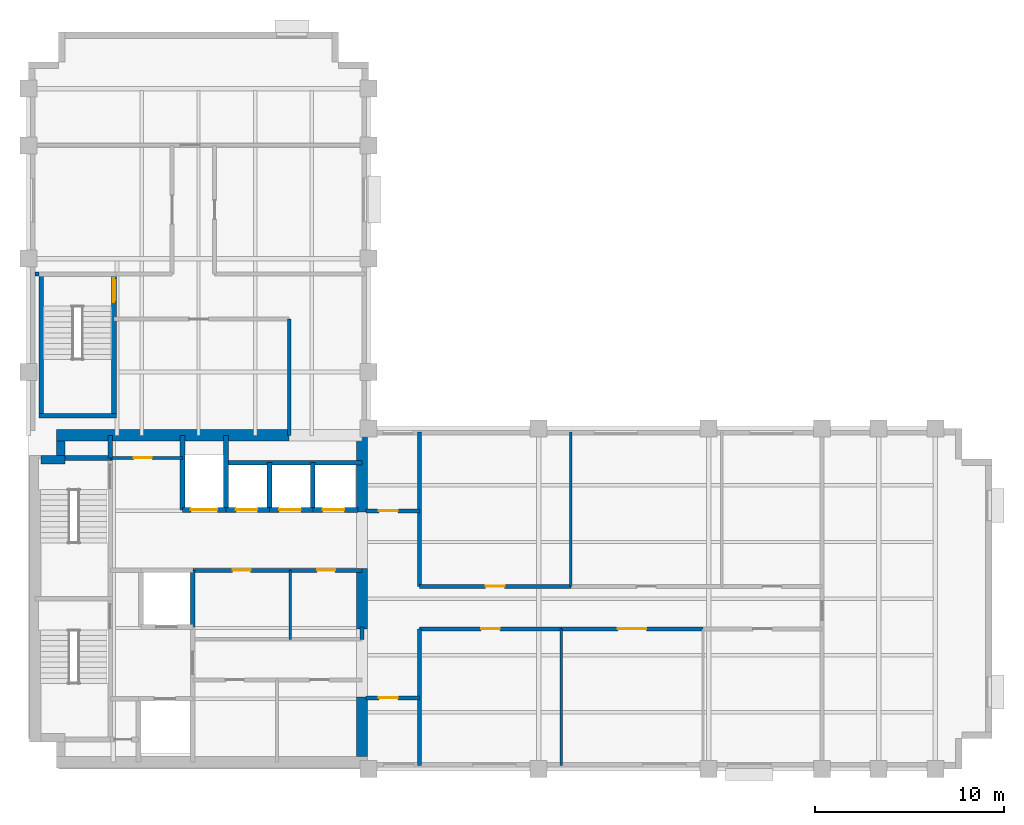
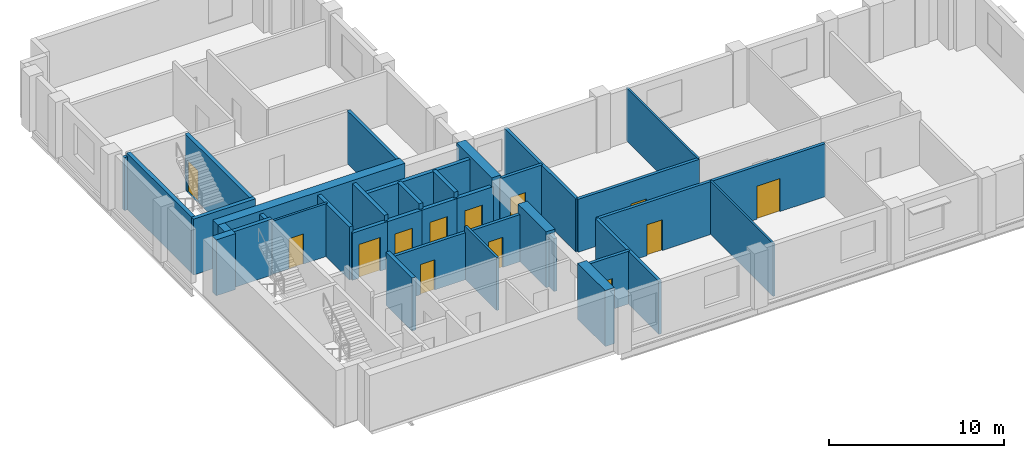
# One storey, part 3 of 6: 37 walls, 13 doors, 13 openings.
"""IFC4 building model written with IfcOpenShell, lengths in metres."""

from ifc_helpers import new_model, si_unit, direction, frame, frame_2d, origin, place, context, subcontext, project, spatial, rectangle, extrude, material, layer, layer_set, type_object, element, fill, save


model = new_model("IFC4")

# Units and contexts
model_context = context("Model", 3, precision=1e-05, world=origin(), true_north=direction((0.0, 1.0)))
body_context = subcontext(model_context, "Body", "Model", "MODEL_VIEW")
ifc_project = project(units=[si_unit("LENGTHUNIT", "METRE"), si_unit("AREAUNIT", "SQUARE_METRE"), si_unit("VOLUMEUNIT", "CUBIC_METRE"), si_unit("PLANEANGLEUNIT", "RADIAN"), si_unit("MASSUNIT", "GRAM", prefix="KILO")], contexts=[model_context])

# Site, building, storey
site_placement = place(None, origin())
site = spatial("IfcSite", under=ifc_project, at=site_placement, CompositionType="ELEMENT")
building_placement = place(site_placement, origin())
building = spatial("IfcBuilding", under=site, at=building_placement, Name="Mawjdan Bourse Tower", CompositionType="ELEMENT")
storey_placement = place(building_placement, frame((0.0, 0.0, 215.10009765625)))
storey = spatial("IfcBuildingStorey", under=building, at=storey_placement, Name="L52", CompositionType="ELEMENT", Elevation=215.10009765625)

# Wall
ifc_material_1 = material(Name="Gypsum Fireboard Assembly")
ifc_layer_1 = layer(ifc_material_1, 0.199951171875)
ifc_layer_set_1 = layer_set([ifc_layer_1], Name="Gypsum Fireboard Assembly")
wall_type_1 = type_object("IfcWallType", Name="WL-CMP-200", PredefinedType="PARTITIONING", material=ifc_layer_set_1)
wall_1_placement = place(storey_placement, frame((23.64990234375, 9.85009765625, 0.0), z_axis=(0.0, 0.0, 1.0), x_axis=(0.0, 1.0, 0.0)))
element("IfcWall", 1, at=wall_1_placement, inside=storey, type_object=wall_type_1, Name="L52 Core Restroom East Return", PredefinedType="PARTITIONING", context=body_context, shape_type="SweptSolid", body=[
    extrude(rectangle(XDim=0.64990234375, YDim=0.199951171875, at=frame_2d((0.324951171875, 0.0))), origin(), (0.0, 0.0, 1.0), 3.68994140625),
])

# Wall, opening, door
wall_2_placement = place(storey_placement, frame((14.699951171875, 13.5, 0.0), z_axis=(0.0, 0.0, 1.0), x_axis=(1.0, 0.0, 0.0)))
wall_2 = element("IfcWall", 2, at=wall_2_placement, inside=storey, type_object=wall_type_1, Name="L52 Accessible WC North Wall", PredefinedType="PARTITIONING", context=body_context, shape_type="SweptSolid", body=[
    extrude(rectangle(XDim=5.150146484375, YDim=0.199951171875, at=frame_2d((2.5751953125, 0.0))), origin(), (0.0, 0.0, 1.0), 3.282958984375),
])
opening_1_placement = place(wall_2_placement, frame((2.10009765625, 0.0, 0.0)))
opening_1 = element("IfcOpeningElement", 3, at=opening_1_placement, cuts=wall_2, Name="Opening D-L52-15", PredefinedType="OPENING", context=body_context, shape_type="SweptSolid", body=[
    extrude(rectangle(XDim=0.949951171875, YDim=2.10009765625, at=frame_2d((0.47509765625, 1.050048828125))), frame((0.0, 0.10986328125, 0.0), z_axis=(0.0, -1.0, 0.0), x_axis=(1.0, 0.0, 0.0)), (0.0, 0.0, 1.0), 0.219970703125),
])
ifc_material_2 = material(Name="Moisture-Resistant Laminate Timber", Category="wood")
door_type_1 = type_object("IfcDoorType", Name="DR-WET-0950", OperationType="NOTDEFINED", PredefinedType="DOOR", material=ifc_material_2)
door_1_placement = place(opening_1_placement, origin())
door_1 = element("IfcDoor", 4, at=door_1_placement, inside=storey, type_object=door_type_1, Name="L52 Accessible WC Door D-L52-15", OperationType="SINGLE_SWING_LEFT", OverallHeight=2.10009765625, OverallWidth=0.949951171875, PredefinedType="DOOR", context=body_context, shape_type="SweptSolid", body=[
    extrude(rectangle(XDim=0.949951171875, YDim=2.10009765625, at=frame_2d((0.47509765625, 1.050048828125))), frame((0.0, 0.02490234375, 0.0), z_axis=(0.0, -1.0, 0.0), x_axis=(1.0, 0.0, 0.0)), (0.0, 0.0, 1.0), 0.050048828125),
])
fill(opening_1, door_1)

wall_3_placement = place(storey_placement, frame((19.85009765625, 13.5, 0.0), z_axis=(0.0, 0.0, 1.0), x_axis=(1.0, 0.0, 0.0)))
wall_3 = element("IfcWall", 5, at=wall_3_placement, inside=storey, type_object=wall_type_1, Name="L52 Executive Restroom Suite North Wall", PredefinedType="PARTITIONING", context=body_context, shape_type="SweptSolid", body=[
    extrude(rectangle(XDim=3.7998046875, YDim=0.199951171875, at=frame_2d((1.89990234375, 0.0))), origin(), (0.0, 0.0, 1.0), 3.282958984375),
])
opening_2_placement = place(wall_3_placement, frame((1.425048828125, 0.0, 0.0)))
opening_2 = element("IfcOpeningElement", 6, at=opening_2_placement, cuts=wall_3, Name="Opening D-L52-16", PredefinedType="OPENING", context=body_context, shape_type="SweptSolid", body=[
    extrude(rectangle(XDim=0.949951171875, YDim=2.10009765625, at=frame_2d((0.47509765625, 1.050048828125))), frame((0.0, 0.10986328125, 0.0), z_axis=(0.0, -1.0, 0.0), x_axis=(1.0, 0.0, 0.0)), (0.0, 0.0, 1.0), 0.219970703125),
])
door_2_placement = place(opening_2_placement, origin())
door_2 = element("IfcDoor", 7, at=door_2_placement, inside=storey, type_object=door_type_1, Name="L52 Executive Restroom Suite Door D-L52-16", OperationType="SINGLE_SWING_RIGHT", OverallHeight=2.10009765625, OverallWidth=0.949951171875, PredefinedType="DOOR", context=body_context, shape_type="SweptSolid", body=[
    extrude(rectangle(XDim=0.949951171875, YDim=2.10009765625, at=frame_2d((0.47509765625, 1.050048828125))), frame((0.0, 0.02490234375, 0.0), z_axis=(0.0, -1.0, 0.0), x_axis=(1.0, 0.0, 0.0)), (0.0, 0.0, 1.0), 0.050048828125),
])
fill(opening_2, door_2)

wall_4_placement = place(storey_placement, frame((23.85009765625, 6.75, 0.0), z_axis=(0.0, 0.0, 1.0), x_axis=(1.0, 0.0, 0.0)))
wall_4 = element("IfcWall", 8, at=wall_4_placement, inside=storey, type_object=wall_type_1, Name="L52 West Pocket North Wall", PredefinedType="PARTITIONING", context=body_context, shape_type="SweptSolid", body=[
    extrude(rectangle(XDim=2.849853515625, YDim=0.199951171875, at=frame_2d((1.4248046875, 0.0))), origin(), (0.0, 0.0, 1.0), 3.68994140625),
])
opening_3_placement = place(wall_4_placement, frame((0.699951171875, 0.0, 0.0)))
opening_3 = element("IfcOpeningElement", 9, at=opening_3_placement, cuts=wall_4, Name="Opening D-L52-19", PredefinedType="OPENING", context=body_context, shape_type="SweptSolid", body=[
    extrude(rectangle(XDim=1.0, YDim=2.14990234375, at=frame_2d((0.5, 1.074951171875))), frame((0.0, 0.10986328125, 0.0), z_axis=(0.0, -1.0, 0.0), x_axis=(1.0, 0.0, 0.0)), (0.0, 0.0, 1.0), 0.219970703125),
])
ifc_material_3 = material(Name="Hardwood Acoustic Leaf", Category="wood")
door_type_2 = type_object("IfcDoorType", Name="DR-OFC-1000", OperationType="NOTDEFINED", PredefinedType="DOOR", material=ifc_material_3)
door_3_placement = place(opening_3_placement, origin())
door_3 = element("IfcDoor", 10, at=door_3_placement, inside=storey, type_object=door_type_2, Name="L52 West Pocket Office Door D-L52-19", OperationType="SINGLE_SWING_LEFT", OverallHeight=2.14990234375, OverallWidth=1.0, PredefinedType="DOOR", context=body_context, shape_type="SweptSolid", body=[
    extrude(rectangle(XDim=1.0, YDim=2.14990234375, at=frame_2d((0.5, 1.074951171875))), frame((0.0, 0.02490234375, 0.0), z_axis=(0.0, -1.0, 0.0), x_axis=(1.0, 0.0, 0.0)), (0.0, 0.0, 1.0), 0.050048828125),
])
fill(opening_3, door_3)

wall_5_placement = place(storey_placement, frame((23.85009765625, 16.64990234375, 0.0), z_axis=(0.0, 0.0, 1.0), x_axis=(1.0, 0.0, 0.0)))
wall_5 = element("IfcWall", 11, at=wall_5_placement, inside=storey, type_object=wall_type_1, Name="L52 West North Pocket Wall", PredefinedType="PARTITIONING", context=body_context, shape_type="SweptSolid", body=[
    extrude(rectangle(XDim=2.849853515625, YDim=0.199951171875, at=frame_2d((1.4248046875, 0.0))), origin(), (0.0, 0.0, 1.0), 3.68994140625),
])
opening_4_placement = place(wall_5_placement, frame((0.699951171875, 0.0, 0.0)))
opening_4 = element("IfcOpeningElement", 12, at=opening_4_placement, cuts=wall_5, Name="Opening D-L52-20", PredefinedType="OPENING", context=body_context, shape_type="SweptSolid", body=[
    extrude(rectangle(XDim=1.0, YDim=2.14990234375, at=frame_2d((0.5, 1.074951171875))), frame((0.0, 0.10986328125, 0.0), z_axis=(0.0, -1.0, 0.0), x_axis=(1.0, 0.0, 0.0)), (0.0, 0.0, 1.0), 0.219970703125),
])
door_4_placement = place(opening_4_placement, origin())
door_4 = element("IfcDoor", 13, at=door_4_placement, inside=storey, type_object=door_type_2, Name="L52 West North Pocket Door D-L52-20", OperationType="SINGLE_SWING_RIGHT", OverallHeight=2.14990234375, OverallWidth=1.0, PredefinedType="DOOR", context=body_context, shape_type="SweptSolid", body=[
    extrude(rectangle(XDim=1.0, YDim=2.14990234375, at=frame_2d((0.5, 1.074951171875))), frame((0.0, 0.02490234375, 0.0), z_axis=(0.0, -1.0, 0.0), x_axis=(1.0, 0.0, 0.0)), (0.0, 0.0, 1.0), 0.050048828125),
])
fill(opening_4, door_4)

# Walls
wall_6_placement = place(storey_placement, frame((26.699951171875, 3.179931640625, 0.0), z_axis=(0.0, 0.0, 1.0), x_axis=(0.0, 1.0, 0.0)))
element("IfcWall", 14, at=wall_6_placement, inside=storey, type_object=wall_type_1, Name="L52 Vestibule South East Wall", PredefinedType="PARTITIONING", context=body_context, shape_type="SweptSolid", body=[
    extrude(rectangle(XDim=7.219970703125, YDim=0.199951171875, at=frame_2d((3.60986328125, 0.0))), origin(), (0.0, 0.0, 1.0), 3.68994140625),
])
wall_7_placement = place(storey_placement, frame((26.699951171875, 12.64990234375, 0.0), z_axis=(0.0, 0.0, 1.0), x_axis=(0.0, 1.0, 0.0)))
element("IfcWall", 15, at=wall_7_placement, inside=storey, type_object=wall_type_1, Name="L52 Vestibule North East Wall", PredefinedType="PARTITIONING", context=body_context, shape_type="SweptSolid", body=[
    extrude(rectangle(XDim=8.170166015625, YDim=0.199951171875, at=frame_2d((4.0849609375, 0.0))), origin(), (0.0, 0.0, 1.0), 3.68994140625),
])

# Wall, opening, door
wall_8_placement = place(storey_placement, frame((26.699951171875, 10.39990234375, 0.0), z_axis=(0.0, 0.0, 1.0), x_axis=(1.0, 0.0, 0.0)))
wall_8 = element("IfcWall", 16, at=wall_8_placement, inside=storey, type_object=wall_type_1, Name="L52 Infrastructure Investment Suite Corridor Wall", PredefinedType="PARTITIONING", context=body_context, shape_type="SweptSolid", body=[
    extrude(rectangle(XDim=7.5, YDim=0.199951171875, at=frame_2d((3.75, 0.0))), origin(), (0.0, 0.0, 1.0), 3.68994140625),
])
opening_5_placement = place(wall_8_placement, frame((3.25, 0.0, 0.0)))
opening_5 = element("IfcOpeningElement", 17, at=opening_5_placement, cuts=wall_8, Name="Opening D-L52-21", PredefinedType="OPENING", context=body_context, shape_type="SweptSolid", body=[
    extrude(rectangle(XDim=1.0, YDim=2.14990234375, at=frame_2d((0.5, 1.074951171875))), frame((0.0, 0.10986328125, 0.0), z_axis=(0.0, -1.0, 0.0), x_axis=(1.0, 0.0, 0.0)), (0.0, 0.0, 1.0), 0.219970703125),
])
door_5_placement = place(opening_5_placement, origin())
door_5 = element("IfcDoor", 18, at=door_5_placement, inside=storey, type_object=door_type_2, Name="L52 Infrastructure Investment Suite Door D-L52-21", OperationType="SINGLE_SWING_LEFT", OverallHeight=2.14990234375, OverallWidth=1.0, PredefinedType="DOOR", context=body_context, shape_type="SweptSolid", body=[
    extrude(rectangle(XDim=1.0, YDim=2.14990234375, at=frame_2d((0.5, 1.074951171875))), frame((0.0, 0.02490234375, 0.0), z_axis=(0.0, -1.0, 0.0), x_axis=(1.0, 0.0, 0.0)), (0.0, 0.0, 1.0), 0.050048828125),
])
fill(opening_5, door_5)

wall_9_placement = place(storey_placement, frame((34.199951171875, 10.39990234375, 0.0), z_axis=(0.0, 0.0, 1.0), x_axis=(1.0, 0.0, 0.0)))
wall_9 = element("IfcWall", 19, at=wall_9_placement, inside=storey, type_object=wall_type_1, Name="L52 Conference Room Corridor Wall", PredefinedType="PARTITIONING", context=body_context, shape_type="SweptSolid", body=[
    extrude(rectangle(XDim=7.5, YDim=0.199951171875, at=frame_2d((3.75, 0.0))), origin(), (0.0, 0.0, 1.0), 3.68994140625),
])
opening_6_placement = place(wall_9_placement, frame((3.0, 0.0, 0.0)))
opening_6 = element("IfcOpeningElement", 20, at=opening_6_placement, cuts=wall_9, Name="Opening D-L52-22", PredefinedType="OPENING", context=body_context, shape_type="SweptSolid", body=[
    extrude(rectangle(XDim=1.5, YDim=2.300048828125, at=frame_2d((0.75, 1.14990234375))), frame((0.0, 0.10986328125, 0.0), z_axis=(0.0, -1.0, 0.0), x_axis=(1.0, 0.0, 0.0)), (0.0, 0.0, 1.0), 0.219970703125),
])
ifc_material_4 = material(Name="Acoustic Glazed Timber", Category="wood")
door_type_3 = type_object("IfcDoorType", Name="DR-CNF-1500", OperationType="DOUBLE_DOOR_SINGLE_SWING", PredefinedType="DOOR", material=ifc_material_4)
door_6_placement = place(opening_6_placement, origin())
door_6 = element("IfcDoor", 21, at=door_6_placement, inside=storey, type_object=door_type_3, Name="L52 Conference Room Door D-L52-22", OperationType="DOUBLE_DOOR_SINGLE_SWING", OverallHeight=2.300048828125, OverallWidth=1.5, PredefinedType="DOOR", context=body_context, shape_type="SweptSolid", body=[
    extrude(rectangle(XDim=1.5, YDim=2.300048828125, at=frame_2d((0.75, 1.14990234375))), frame((0.0, 0.02490234375, 0.0), z_axis=(0.0, -1.0, 0.0), x_axis=(1.0, 0.0, 0.0)), (0.0, 0.0, 1.0), 0.050048828125),
])
fill(opening_6, door_6)

wall_10_placement = place(storey_placement, frame((26.699951171875, 12.64990234375, 0.0), z_axis=(0.0, 0.0, 1.0), x_axis=(1.0, 0.0, 0.0)))
wall_10 = element("IfcWall", 22, at=wall_10_placement, inside=storey, type_object=wall_type_1, Name="L52 Executive Office Corridor Wall", PredefinedType="PARTITIONING", context=body_context, shape_type="SweptSolid", body=[
    extrude(rectangle(XDim=8.0, YDim=0.199951171875, at=frame_2d((4.0, 0.0))), origin(), (0.0, 0.0, 1.0), 3.68994140625),
])
opening_7_placement = place(wall_10_placement, frame((3.5, 0.0, 0.0)))
opening_7 = element("IfcOpeningElement", 23, at=opening_7_placement, cuts=wall_10, Name="Opening D-L52-24", PredefinedType="OPENING", context=body_context, shape_type="SweptSolid", body=[
    extrude(rectangle(XDim=1.0, YDim=2.14990234375, at=frame_2d((0.5, 1.074951171875))), frame((0.0, 0.10986328125, 0.0), z_axis=(0.0, -1.0, 0.0), x_axis=(1.0, 0.0, 0.0)), (0.0, 0.0, 1.0), 0.219970703125),
])
door_7_placement = place(opening_7_placement, origin())
door_7 = element("IfcDoor", 24, at=door_7_placement, inside=storey, type_object=door_type_2, Name="L52 Executive Office Door D-L52-24", OperationType="SINGLE_SWING_LEFT", OverallHeight=2.14990234375, OverallWidth=1.0, PredefinedType="DOOR", context=body_context, shape_type="SweptSolid", body=[
    extrude(rectangle(XDim=1.0, YDim=2.14990234375, at=frame_2d((0.5, 1.074951171875))), frame((0.0, 0.02490234375, 0.0), z_axis=(0.0, -1.0, 0.0), x_axis=(1.0, 0.0, 0.0)), (0.0, 0.0, 1.0), 0.050048828125),
])
fill(opening_7, door_7)

# Walls
wall_11_placement = place(storey_placement, frame((19.800048828125, 20.64990234375, 0.0), z_axis=(0.0, 0.0, 1.0), x_axis=(0.0, 1.0, 0.0)))
element("IfcWall", 25, at=wall_11_placement, inside=storey, type_object=wall_type_1, Name="L52 North Throat East Wall", PredefinedType="PARTITIONING", context=body_context, shape_type="SweptSolid", body=[
    extrude(rectangle(XDim=6.150146484375, YDim=0.199951171875, at=frame_2d((3.0751953125, 0.0))), origin(), (0.0, 0.0, 1.0), 3.68994140625),
])
wall_12_placement = place(storey_placement, frame((6.340087890625, 29.179931640625, 0.0), z_axis=(0.0, 0.0, 1.0), x_axis=(1.0, 0.0, 0.0)))
element("IfcWall", 26, at=wall_12_placement, inside=storey, type_object=wall_type_1, Name="L52 North West Band ST3 West Return", PredefinedType="PARTITIONING", context=body_context, shape_type="SweptSolid", body=[
    extrude(rectangle(XDim=0.21484375, YDim=0.199951171875, at=frame_2d((0.107421875, 0.0))), origin(), (0.0, 0.0, 1.0), 3.68994140625),
])
ifc_material_5 = material(Name="Concrete C60/75", Category="concrete")
ifc_layer_2 = layer(ifc_material_5, 0.449951171875)
ifc_layer_set_2 = layer_set([ifc_layer_2], Name="Concrete C60/75")
wall_type_2 = type_object("IfcWallType", Name="WL-CORE-450", PredefinedType="SHEAR", material=ifc_layer_set_2)
wall_13_placement = place(storey_placement, frame((6.64990234375, 19.35009765625, 0.0), z_axis=(0.0, 0.0, 1.0), x_axis=(1.0, 0.0, 0.0)))
element("IfcWall", 27, at=wall_13_placement, inside=storey, type_object=wall_type_2, Name="L52 Rear Core Shear Wall NW-X", PredefinedType="SHEAR", context=body_context, shape_type="SweptSolid", body=[
    extrude(rectangle(XDim=1.275146484375, YDim=0.449951171875, at=frame_2d((0.6376953125, 0.0))), origin(), (0.0, 0.0, 1.0), 3.89990234375),
])
wall_14_placement = place(storey_placement, frame((7.699951171875, 19.574951171875, 0.0), z_axis=(0.0, 0.0, 1.0), x_axis=(0.0, 1.0, 0.0)))
element("IfcWall", 28, at=wall_14_placement, inside=storey, type_object=wall_type_2, Name="L52 Rear Core Shear Wall NW-Y", PredefinedType="SHEAR", context=body_context, shape_type="SweptSolid", body=[
    extrude(rectangle(XDim=0.775146484375, YDim=0.449951171875, at=frame_2d((0.3876953125, 0.0))), origin(), (0.0, 0.0, 1.0), 3.89990234375),
])
ifc_material_6 = material(Name="Concrete C70/85", Category="concrete")
ifc_layer_3 = layer(ifc_material_6, 0.60009765625)
ifc_layer_set_3 = layer_set([ifc_layer_3], Name="Concrete C70/85")
wall_type_3 = type_object("IfcWallType", Name="WL-CORE-600", PredefinedType="SHEAR", material=ifc_layer_set_3)
wall_15_placement = place(storey_placement, frame((7.47509765625, 20.64990234375, 0.0), z_axis=(0.0, 0.0, 1.0), x_axis=(1.0, 0.0, 0.0)))
element("IfcWall", 29, at=wall_15_placement, inside=storey, type_object=wall_type_3, Name="L52 Rear Core Shear Wall N", PredefinedType="SHEAR", context=body_context, shape_type="SweptSolid", body=[
    extrude(rectangle(XDim=12.324951171875, YDim=0.60009765625, at=frame_2d((6.16259765625, 0.0))), origin(), (0.0, 0.0, 1.0), 3.89990234375),
])
wall_16_placement = place(storey_placement, frame((23.64990234375, 3.64990234375, 0.0), z_axis=(0.0, 0.0, 1.0), x_axis=(0.0, 1.0, 0.0)))
element("IfcWall", 30, at=wall_16_placement, inside=storey, type_object=wall_type_3, Name="L52 Rear Core Shear Wall E1", PredefinedType="SHEAR", context=body_context, shape_type="SweptSolid", body=[
    extrude(rectangle(XDim=3.150146484375, YDim=0.60009765625, at=frame_2d((1.5751953125, 0.0))), origin(), (0.0, 0.0, 1.0), 3.89990234375),
])
wall_17_placement = place(storey_placement, frame((23.64990234375, 10.39990234375, 0.0), z_axis=(0.0, 0.0, 1.0), x_axis=(0.0, 1.0, 0.0)))
element("IfcWall", 31, at=wall_17_placement, inside=storey, type_object=wall_type_3, Name="L52 Rear Core Shear Wall E2", PredefinedType="SHEAR", context=body_context, shape_type="SweptSolid", body=[
    extrude(rectangle(XDim=3.2001953125, YDim=0.60009765625, at=frame_2d((1.60009765625, 0.0))), origin(), (0.0, 0.0, 1.0), 3.89990234375),
])
wall_18_placement = place(storey_placement, frame((23.64990234375, 16.60009765625, 0.0), z_axis=(0.0, 0.0, 1.0), x_axis=(0.0, 1.0, 0.0)))
element("IfcWall", 32, at=wall_18_placement, inside=storey, type_object=wall_type_3, Name="L52 Rear Core Shear Wall E3", PredefinedType="SHEAR", context=body_context, shape_type="SweptSolid", body=[
    extrude(rectangle(XDim=4.0498046875, YDim=0.60009765625, at=frame_2d((2.02490234375, 0.0))), origin(), (0.0, 0.0, 1.0), 3.89990234375),
])
ifc_material_7 = material(Name="Gypsum Partition")
ifc_layer_4 = layer(ifc_material_7, 0.125)
ifc_layer_set_4 = layer_set([ifc_layer_4], Name="Gypsum Partition")
wall_type_4 = type_object("IfcWallType", Name="WL-PRT-125", PredefinedType="PARTITIONING", material=ifc_layer_set_4)
wall_19_placement = place(storey_placement, frame((34.199951171875, 3.179931640625, 0.0), z_axis=(0.0, 0.0, 1.0), x_axis=(0.0, 1.0, 0.0)))
element("IfcWall", 33, at=wall_19_placement, inside=storey, type_object=wall_type_4, Name="L52 Conference Room Partition", PredefinedType="PARTITIONING", context=body_context, shape_type="SweptSolid", body=[
    extrude(rectangle(XDim=7.219970703125, YDim=0.125, at=frame_2d((3.60986328125, 0.0))), origin(), (0.0, 0.0, 1.0), 3.68994140625),
])
wall_20_placement = place(storey_placement, frame((34.699951171875, 12.64990234375, 0.0), z_axis=(0.0, 0.0, 1.0), x_axis=(0.0, 1.0, 0.0)))
element("IfcWall", 34, at=wall_20_placement, inside=storey, type_object=wall_type_4, Name="L52 Valuation Office Partition", PredefinedType="PARTITIONING", context=body_context, shape_type="SweptSolid", body=[
    extrude(rectangle(XDim=8.170166015625, YDim=0.125, at=frame_2d((4.0849609375, 0.0))), origin(), (0.0, 0.0, 1.0), 3.68994140625),
])
ifc_material_8 = material(Name="Gypsum Acoustic Partition")
ifc_layer_5 = layer(ifc_material_8, 0.14990234375)
ifc_layer_set_5 = layer_set([ifc_layer_5], Name="Gypsum Acoustic Partition")
wall_type_5 = type_object("IfcWallType", Name="WL-PRT-150", PredefinedType="PARTITIONING", material=ifc_layer_set_5)
wall_21_placement = place(storey_placement, frame((19.85009765625, 9.85009765625, 0.0), z_axis=(0.0, 0.0, 1.0), x_axis=(0.0, 1.0, 0.0)))
element("IfcWall", 35, at=wall_21_placement, inside=storey, type_object=wall_type_5, Name="L52 Executive Restroom Suite Split Wall", PredefinedType="PARTITIONING", context=body_context, shape_type="SweptSolid", body=[
    extrude(rectangle(XDim=3.64990234375, YDim=0.14990234375, at=frame_2d((1.824951171875, 0.0))), origin(), (0.0, 0.0, 1.0), 3.68994140625),
])

# Wall, opening, door
wall_22_placement = place(storey_placement, frame((10.330078125, 19.449951171875, 0.0), z_axis=(0.0, 0.0, 1.0), x_axis=(1.0, 0.0, 0.0)))
wall_22 = element("IfcWall", 36, at=wall_22_placement, inside=storey, type_object=wall_type_5, Name="L52 Housekeeping South Wall", PredefinedType="PARTITIONING", context=body_context, shape_type="SweptSolid", body=[
    extrude(rectangle(XDim=3.81982421875, YDim=0.14990234375, at=frame_2d((1.909912109375, 0.0))), origin(), (0.0, 0.0, 1.0), 3.68994140625),
])
opening_8_placement = place(wall_22_placement, frame((1.25, 0.0, 0.0)))
opening_8 = element("IfcOpeningElement", 37, at=opening_8_placement, cuts=wall_22, Name="Opening D-L52-17", PredefinedType="OPENING", context=body_context, shape_type="SweptSolid", body=[
    extrude(rectangle(XDim=0.949951171875, YDim=2.10009765625, at=frame_2d((0.47509765625, 1.050048828125))), frame((0.0, 0.0849609375, 0.0), z_axis=(0.0, -1.0, 0.0), x_axis=(1.0, 0.0, 0.0)), (0.0, 0.0, 1.0), 0.169921875),
])
door_8_placement = place(opening_8_placement, origin())
door_8 = element("IfcDoor", 38, at=door_8_placement, inside=storey, type_object=door_type_1, Name="L52 Housekeeping Closet Door D-L52-17", OperationType="SINGLE_SWING_LEFT", OverallHeight=2.10009765625, OverallWidth=0.949951171875, PredefinedType="DOOR", context=body_context, shape_type="SweptSolid", body=[
    extrude(rectangle(XDim=0.949951171875, YDim=2.10009765625, at=frame_2d((0.47509765625, 1.050048828125))), frame((0.0, 0.02490234375, 0.0), z_axis=(0.0, -1.0, 0.0), x_axis=(1.0, 0.0, 0.0)), (0.0, 0.0, 1.0), 0.050048828125),
])
fill(opening_8, door_8)

# Walls
ifc_material_9 = material(Name="Concrete C50/60", Category="concrete")
ifc_layer_6 = layer(ifc_material_9, 0.25)
ifc_layer_set_6 = layer_set([ifc_layer_6], Name="Concrete C50/60")
wall_type_6 = type_object("IfcWallType", Name="WL-SHFT-250", PredefinedType="PARTITIONING", material=ifc_layer_set_6)
wall_23_placement = place(storey_placement, frame((10.330078125, 19.449951171875, 0.0), z_axis=(0.0, 0.0, 1.0), x_axis=(0.0, 1.0, 0.0)))
element("IfcWall", 39, at=wall_23_placement, inside=storey, type_object=wall_type_6, Name="L52 NW Riser East Wall", PredefinedType="PARTITIONING", context=body_context, shape_type="SweptSolid", body=[
    extrude(rectangle(XDim=1.199951171875, YDim=0.25, at=frame_2d((0.60009765625, 0.0))), origin(), (0.0, 0.0, 1.0), 3.68994140625),
])
wall_24_placement = place(storey_placement, frame((14.699951171875, 10.5, 0.0), z_axis=(0.0, 0.0, 1.0), x_axis=(0.0, 1.0, 0.0)))
element("IfcWall", 40, at=wall_24_placement, inside=storey, type_object=wall_type_6, Name="L52 FFL-02 East Shaft Wall", PredefinedType="PARTITIONING", context=body_context, shape_type="SweptSolid", body=[
    extrude(rectangle(XDim=3.0, YDim=0.25, at=frame_2d((1.5, 0.0))), origin(), (0.0, 0.0, 1.0), 3.68994140625),
])

# Wall, opening, door
wall_25_placement = place(storey_placement, frame((14.14990234375, 16.699951171875, 0.0), z_axis=(0.0, 0.0, 1.0), x_axis=(1.0, 0.0, 0.0)))
wall_25 = element("IfcWall", 41, at=wall_25_placement, inside=storey, type_object=wall_type_6, Name="L52 SVL-01 Front Shaft Wall", PredefinedType="PARTITIONING", context=body_context, shape_type="SweptSolid", body=[
    extrude(rectangle(XDim=2.300048828125, YDim=0.25, at=frame_2d((1.14990234375, 0.0))), origin(), (0.0, 0.0, 1.0), 3.282958984375),
])
opening_9_placement = place(wall_25_placement, frame((0.449951171875, 0.0, 0.0)))
opening_9 = element("IfcOpeningElement", 42, at=opening_9_placement, cuts=wall_25, Name="Opening LD-L52-09", PredefinedType="OPENING", context=body_context, shape_type="SweptSolid", body=[
    extrude(rectangle(XDim=1.39990234375, YDim=2.35009765625, at=frame_2d((0.699951171875, 1.175048828125))), frame((0.0, 0.135009765625, 0.0), z_axis=(0.0, -1.0, 0.0), x_axis=(1.0, 0.0, 0.0)), (0.0, 0.0, 1.0), 0.27001953125),
])
ifc_material_10 = material(Name="Heavy-Duty Stainless Steel", Category="steel")
door_type_4 = type_object("IfcDoorType", Name="LD-SRV-1400", OperationType="DOUBLE_DOOR_SLIDING", PredefinedType="DOOR", material=ifc_material_10)
door_9_placement = place(opening_9_placement, origin())
door_9 = element("IfcDoor", 43, at=door_9_placement, inside=storey, type_object=door_type_4, Name="L52 Service Lift SVL-01 Landing Door LD-L52-09", OperationType="DOUBLE_DOOR_SLIDING", OverallHeight=2.35009765625, OverallWidth=1.39990234375, PredefinedType="DOOR", context=body_context, shape_type="SweptSolid", body=[
    extrude(rectangle(XDim=1.39990234375, YDim=2.35009765625, at=frame_2d((0.699951171875, 1.175048828125))), frame((0.0, 0.02490234375, 0.0), z_axis=(0.0, -1.0, 0.0), x_axis=(1.0, 0.0, 0.0)), (0.0, 0.0, 1.0), 0.050048828125),
])
fill(opening_9, door_9)

# Walls
for number, where, z_axis, x_axis, name in (
    (44, (14.14990234375, 16.699951171875, 0.0), (0.0, 0.0, 1.0), (0.0, 1.0, 0.0), "L52 SVL-01 West Shaft Wall"),
    (45, (16.449951171875, 16.699951171875, 0.0), (0.0, 0.0, 1.0), (0.0, 1.0, 0.0), "L52 SVL-01 East Shaft Wall"),
):
    element("IfcWall", number, at=place(storey_placement, frame(where, z_axis=z_axis, x_axis=x_axis)), inside=storey, type_object=wall_type_6, Name=name, PredefinedType="PARTITIONING", context=body_context, shape_type="SweptSolid", body=[
        extrude(rectangle(XDim=3.949951171875, YDim=0.25, at=frame_2d((1.97509765625, 0.0))), origin(), (0.0, 0.0, 1.0), 3.68994140625),
    ])

# Wall, opening, door
wall_26_placement = place(storey_placement, frame((16.449951171875, 16.699951171875, 0.0), z_axis=(0.0, 0.0, 1.0), x_axis=(1.0, 0.0, 0.0)))
wall_26 = element("IfcWall", 46, at=wall_26_placement, inside=storey, type_object=wall_type_6, Name="L52 PH-01 Front Wall", PredefinedType="PARTITIONING", context=body_context, shape_type="SweptSolid", body=[
    extrude(rectangle(XDim=2.300048828125, YDim=0.25, at=frame_2d((1.14990234375, 0.0))), origin(), (0.0, 0.0, 1.0), 3.282958984375),
])
opening_10_placement = place(wall_26_placement, frame((0.52001953125, 0.0, 0.0)))
opening_10 = element("IfcOpeningElement", 47, at=opening_10_placement, cuts=wall_26, Name="Opening LD-L52-10", PredefinedType="OPENING", context=body_context, shape_type="SweptSolid", body=[
    extrude(rectangle(XDim=1.14990234375, YDim=2.25, at=frame_2d((0.574951171875, 1.125))), frame((0.0, 0.135009765625, 0.0), z_axis=(0.0, -1.0, 0.0), x_axis=(1.0, 0.0, 0.0)), (0.0, 0.0, 1.0), 0.27001953125),
])
ifc_material_11 = material(Name="Brushed Stainless Steel", Category="steel")
door_type_5 = type_object("IfcDoorType", Name="LD-PAS-1150", OperationType="DOUBLE_DOOR_SLIDING", PredefinedType="DOOR", material=ifc_material_11)
door_10_placement = place(opening_10_placement, origin())
door_10 = element("IfcDoor", 48, at=door_10_placement, inside=storey, type_object=door_type_5, Name="L52 Lift PH-01 Landing Door LD-L52-10", OperationType="DOUBLE_DOOR_SLIDING", OverallHeight=2.25, OverallWidth=1.14990234375, PredefinedType="DOOR", context=body_context, shape_type="SweptSolid", body=[
    extrude(rectangle(XDim=1.14990234375, YDim=2.25, at=frame_2d((0.574951171875, 1.125))), frame((0.0, 0.02490234375, 0.0), z_axis=(0.0, -1.0, 0.0), x_axis=(1.0, 0.0, 0.0)), (0.0, 0.0, 1.0), 0.050048828125),
])
fill(opening_10, door_10)

# Wall
wall_27_placement = place(storey_placement, frame((18.75, 16.699951171875, 0.0), z_axis=(0.0, 0.0, 1.0), x_axis=(0.0, 1.0, 0.0)))
element("IfcWall", 49, at=wall_27_placement, inside=storey, type_object=wall_type_6, Name="L52 PH-01 Divider Wall", PredefinedType="PARTITIONING", context=body_context, shape_type="SweptSolid", body=[
    extrude(rectangle(XDim=2.5, YDim=0.25, at=frame_2d((1.25, 0.0))), origin(), (0.0, 0.0, 1.0), 3.68994140625),
])

# Wall, opening, door
wall_28_placement = place(storey_placement, frame((18.75, 16.699951171875, 0.0), z_axis=(0.0, 0.0, 1.0), x_axis=(1.0, 0.0, 0.0)))
wall_28 = element("IfcWall", 50, at=wall_28_placement, inside=storey, type_object=wall_type_6, Name="L52 PH-02 Front Wall", PredefinedType="PARTITIONING", context=body_context, shape_type="SweptSolid", body=[
    extrude(rectangle(XDim=2.300048828125, YDim=0.25, at=frame_2d((1.14990234375, 0.0))), origin(), (0.0, 0.0, 1.0), 3.282958984375),
])
opening_11_placement = place(wall_28_placement, frame((0.52001953125, 0.0, 0.0)))
opening_11 = element("IfcOpeningElement", 51, at=opening_11_placement, cuts=wall_28, Name="Opening LD-L52-11", PredefinedType="OPENING", context=body_context, shape_type="SweptSolid", body=[
    extrude(rectangle(XDim=1.14990234375, YDim=2.25, at=frame_2d((0.574951171875, 1.125))), frame((0.0, 0.135009765625, 0.0), z_axis=(0.0, -1.0, 0.0), x_axis=(1.0, 0.0, 0.0)), (0.0, 0.0, 1.0), 0.27001953125),
])
door_11_placement = place(opening_11_placement, origin())
door_11 = element("IfcDoor", 52, at=door_11_placement, inside=storey, type_object=door_type_5, Name="L52 Lift PH-02 Landing Door LD-L52-11", OperationType="DOUBLE_DOOR_SLIDING", OverallHeight=2.25, OverallWidth=1.14990234375, PredefinedType="DOOR", context=body_context, shape_type="SweptSolid", body=[
    extrude(rectangle(XDim=1.14990234375, YDim=2.25, at=frame_2d((0.574951171875, 1.125))), frame((0.0, 0.02490234375, 0.0), z_axis=(0.0, -1.0, 0.0), x_axis=(1.0, 0.0, 0.0)), (0.0, 0.0, 1.0), 0.050048828125),
])
fill(opening_11, door_11)

# Wall
wall_29_placement = place(storey_placement, frame((21.050048828125, 16.699951171875, 0.0), z_axis=(0.0, 0.0, 1.0), x_axis=(0.0, 1.0, 0.0)))
element("IfcWall", 53, at=wall_29_placement, inside=storey, type_object=wall_type_6, Name="L52 PH-02 Divider Wall", PredefinedType="PARTITIONING", context=body_context, shape_type="SweptSolid", body=[
    extrude(rectangle(XDim=2.5, YDim=0.25, at=frame_2d((1.25, 0.0))), origin(), (0.0, 0.0, 1.0), 3.68994140625),
])

# Wall, opening, door
wall_30_placement = place(storey_placement, frame((21.050048828125, 16.699951171875, 0.0), z_axis=(0.0, 0.0, 1.0), x_axis=(1.0, 0.0, 0.0)))
wall_30 = element("IfcWall", 54, at=wall_30_placement, inside=storey, type_object=wall_type_6, Name="L52 PH-03 Front Wall", PredefinedType="PARTITIONING", context=body_context, shape_type="SweptSolid", body=[
    extrude(rectangle(XDim=2.39990234375, YDim=0.25, at=frame_2d((1.199951171875, 0.0))), origin(), (0.0, 0.0, 1.0), 3.282958984375),
])
opening_12_placement = place(wall_30_placement, frame((0.52001953125, 0.0, 0.0)))
opening_12 = element("IfcOpeningElement", 55, at=opening_12_placement, cuts=wall_30, Name="Opening LD-L52-12", PredefinedType="OPENING", context=body_context, shape_type="SweptSolid", body=[
    extrude(rectangle(XDim=1.14990234375, YDim=2.25, at=frame_2d((0.574951171875, 1.125))), frame((0.0, 0.135009765625, 0.0), z_axis=(0.0, -1.0, 0.0), x_axis=(1.0, 0.0, 0.0)), (0.0, 0.0, 1.0), 0.27001953125),
])
door_12_placement = place(opening_12_placement, origin())
door_12 = element("IfcDoor", 56, at=door_12_placement, inside=storey, type_object=door_type_5, Name="L52 Lift PH-03 Landing Door LD-L52-12", OperationType="DOUBLE_DOOR_SLIDING", OverallHeight=2.25, OverallWidth=1.14990234375, PredefinedType="DOOR", context=body_context, shape_type="SweptSolid", body=[
    extrude(rectangle(XDim=1.14990234375, YDim=2.25, at=frame_2d((0.574951171875, 1.125))), frame((0.0, 0.02490234375, 0.0), z_axis=(0.0, -1.0, 0.0), x_axis=(1.0, 0.0, 0.0)), (0.0, 0.0, 1.0), 0.050048828125),
])
fill(opening_12, door_12)

# Walls
wall_31_placement = place(storey_placement, frame((16.449951171875, 19.199951171875, 0.0), z_axis=(0.0, 0.0, 1.0), x_axis=(1.0, 0.0, 0.0)))
element("IfcWall", 57, at=wall_31_placement, inside=storey, type_object=wall_type_6, Name="L52 PH Bank North Shaft Back Wall", PredefinedType="PARTITIONING", context=body_context, shape_type="SweptSolid", body=[
    extrude(rectangle(XDim=7.199951171875, YDim=0.25, at=frame_2d((3.60009765625, 0.0))), origin(), (0.0, 0.0, 1.0), 3.68994140625),
])
ifc_layer_7 = layer(ifc_material_9, 0.25)
ifc_layer_set_7 = layer_set([ifc_layer_7], Name="Concrete C50/60")
wall_type_7 = type_object("IfcWallType", Name="WL-STRW-250", PredefinedType="SHEAR", material=ifc_layer_set_7)
wall_32_placement = place(storey_placement, frame((7.699951171875, 19.449951171875, 0.0), z_axis=(0.0, 0.0, 1.0), x_axis=(1.0, 0.0, 0.0)))
element("IfcWall", 58, at=wall_32_placement, inside=storey, type_object=wall_type_7, Name="L52 Stairwell ST2 North Shaft Wall", PredefinedType="SHEAR", context=body_context, shape_type="SweptSolid", body=[
    extrude(rectangle(XDim=2.755126953125, YDim=0.25, at=frame_2d((1.37744140625, 0.0))), origin(), (0.0, 0.0, 1.0), 3.89990234375),
])
wall_33_placement = place(storey_placement, frame((6.554931640625, 21.679931640625, 0.0), z_axis=(0.0, 0.0, 1.0), x_axis=(1.0, 0.0, 0.0)))
element("IfcWall", 59, at=wall_33_placement, inside=storey, type_object=wall_type_7, Name="L52 ST3 South Shaft Wall", PredefinedType="SHEAR", context=body_context, shape_type="SweptSolid", body=[
    extrude(rectangle(XDim=4.090087890625, YDim=0.25, at=frame_2d((2.044921875, 0.0))), origin(), (0.0, 0.0, 1.0), 3.89990234375),
])
wall_34_placement = place(storey_placement, frame((6.679931640625, 21.679931640625, 0.0), z_axis=(0.0, 0.0, 1.0), x_axis=(0.0, 1.0, 0.0)))
element("IfcWall", 60, at=wall_34_placement, inside=storey, type_object=wall_type_7, Name="L52 ST3 West Shaft Wall", PredefinedType="SHEAR", context=body_context, shape_type="SweptSolid", body=[
    extrude(rectangle(XDim=7.5, YDim=0.25, at=frame_2d((3.75, 0.0))), origin(), (0.0, 0.0, 1.0), 3.89990234375),
])

# Wall, opening, door
wall_35_placement = place(storey_placement, frame((10.52001953125, 21.679931640625, 0.0), z_axis=(0.0, 0.0, 1.0), x_axis=(0.0, 1.0, 0.0)))
wall_35 = element("IfcWall", 61, at=wall_35_placement, inside=storey, type_object=wall_type_7, Name="L52 ST3 East Shaft Wall", PredefinedType="SHEAR", context=body_context, shape_type="SweptSolid", body=[
    extrude(rectangle(XDim=7.5, YDim=0.25, at=frame_2d((3.75, 0.0))), origin(), (0.0, 0.0, 1.0), 3.89990234375),
])
opening_13_placement = place(wall_35_placement, frame((6.02001953125, 0.0, 0.0)))
opening_13 = element("IfcOpeningElement", 62, at=opening_13_placement, cuts=wall_35, Name="Opening SD-L52-18", PredefinedType="OPENING", context=body_context, shape_type="SweptSolid", body=[
    extrude(rectangle(XDim=1.25, YDim=2.199951171875, at=frame_2d((0.625, 1.10009765625))), frame((0.0, 0.135009765625, 0.0), z_axis=(0.0, -1.0, 0.0), x_axis=(1.0, 0.0, 0.0)), (0.0, 0.0, 1.0), 0.27001953125),
])
ifc_material_12 = material(Name="Fire-Rated Steel Leaf", Category="steel")
door_type_6 = type_object("IfcDoorType", Name="FD-ST-1250", OperationType="NOTDEFINED", PredefinedType="DOOR", material=ifc_material_12)
door_13_placement = place(opening_13_placement, origin())
door_13 = element("IfcDoor", 63, at=door_13_placement, inside=storey, type_object=door_type_6, Name="L52 Stair ST3 Fire Door SD-L52-18", OperationType="SINGLE_SWING_RIGHT", OverallHeight=2.199951171875, OverallWidth=1.25, PredefinedType="DOOR", context=body_context, shape_type="SweptSolid", body=[
    extrude(rectangle(XDim=1.25, YDim=2.199951171875, at=frame_2d((0.625, 1.10009765625))), frame((0.0, 0.02490234375, 0.0), z_axis=(0.0, -1.0, 0.0), x_axis=(1.0, 0.0, 0.0)), (0.0, 0.0, 1.0), 0.050048828125),
])
fill(opening_13, door_13)

save(model, "model.ifc")
